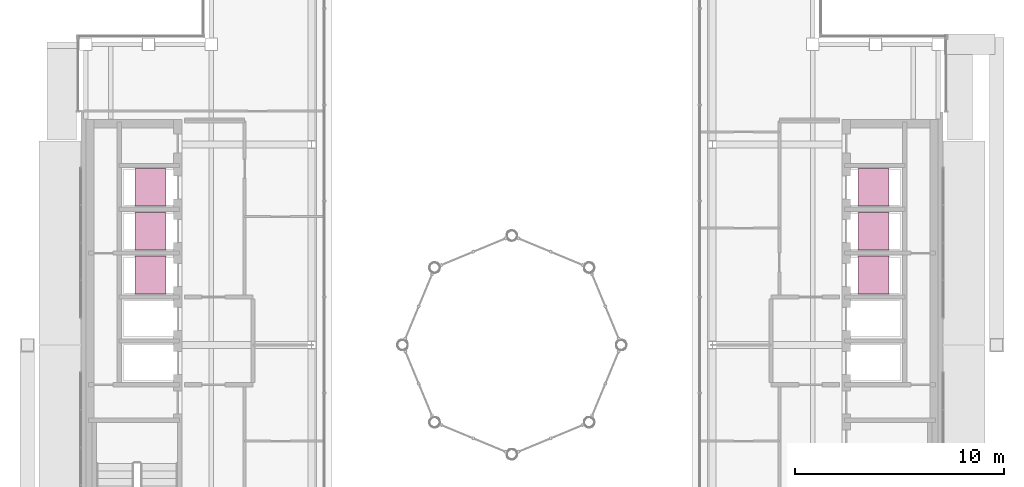
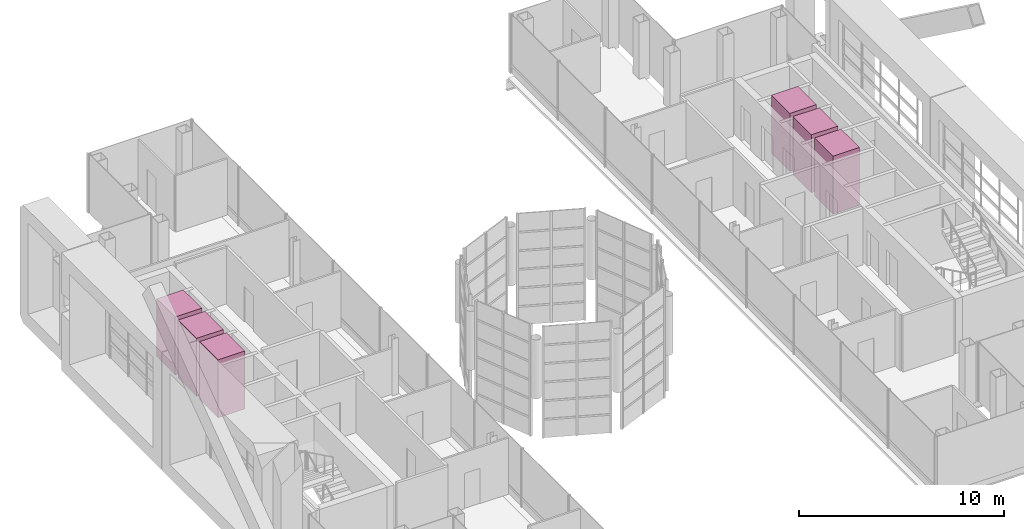
# One storey, part 21 of 21: 6 transport elements.
"""IFC4 building model written with IfcOpenShell, lengths in metres."""

import ifcopenshell
import ifcopenshell.guid

model = None  # the IFC model being written
_history = None  # IfcOwnerHistory: only IFC2X3 demands one
_inside = {}  # id of a spatial element -> (the spatial element, [elements in it])
_under = {}  # id of a project, library or spatial element -> (it, [spatial elements below it])
_declared = {}  # id of a project -> (the project, [libraries it declares])
_typed = {}  # id of a type object -> (the type object, [elements of that type])
_made_of = {}  # id of a material, layer set ... -> (it, [elements and type objects made of it])


def new_model(schema):
    """Start an empty IFC model of exactly this schema.

    Asked for "IFC4X3", IfcOpenShell would pick the latest addendum, in which some entities
    have other attributes; the version numbers below select the first issue.
    IFC2X3 requires an IfcOwnerHistory on every rooted entity: one is made here for all.
    """
    global model, _history
    if schema == "IFC4X3":
        model = ifcopenshell.file(schema_version=(4, 3, 0, 0))
    else:
        model = ifcopenshell.file(schema=schema)
    _inside.clear()
    _under.clear()
    _declared.clear()
    _typed.clear()
    _made_of.clear()
    _history = None
    if model.schema == "IFC2X3":
        org = make("IfcOrganization", Name="unknown")
        user = make(
            "IfcPersonAndOrganization",
            ThePerson=make("IfcPerson", FamilyName="unknown"),
            TheOrganization=org,
        )
        app = make(
            "IfcApplication",
            ApplicationDeveloper=org,
            Version="unknown",
            ApplicationFullName="unknown",
            ApplicationIdentifier="unknown",
        )
        _history = make(
            "IfcOwnerHistory",
            OwningUser=user,
            OwningApplication=app,
            ChangeAction="ADDED",
            CreationDate=0,
        )
    return model


def make(cls, **values):
    """One entity of the class cls with the attributes given. An attribute that is None is left unset."""
    return model.create_entity(
        cls, **{name: value for name, value in values.items() if value is not None}
    )


def rooted(cls, **values):
    """An entity with a GlobalId (a new one), such as an element, a storey or a relation."""
    return make(cls, GlobalId=ifcopenshell.guid.new(), OwnerHistory=_history, **values)


def si_unit(unit_type, name, prefix=None):
    """IfcSIUnit, for example si_unit("LENGTHUNIT", "METRE", prefix="MILLI")."""
    return make("IfcSIUnit", UnitType=unit_type, Prefix=prefix, Name=name)


def assignment(units):
    """IfcUnitAssignment: the units of a project."""
    return None if units is None else make("IfcUnitAssignment", Units=units)


def point(xyz):
    """IfcCartesianPoint."""
    return None if xyz is None else make("IfcCartesianPoint", Coordinates=xyz)


def direction(xyz):
    """IfcDirection."""
    return None if xyz is None else make("IfcDirection", DirectionRatios=xyz)


def frame(location, z_axis=None, x_axis=None):
    """IfcAxis2Placement3D, a coordinate frame: its origin and axes. An axis left out is left unset."""
    return make(
        "IfcAxis2Placement3D",
        Location=point(location),
        Axis=direction(z_axis),
        RefDirection=direction(x_axis),
    )


def frame_2d(location, x_axis=None):
    """IfcAxis2Placement2D, a coordinate frame in the plane: its origin and x axis."""
    return make(
        "IfcAxis2Placement2D", Location=point(location), RefDirection=direction(x_axis)
    )


def origin():
    """The frame at (0, 0, 0) with its axes left unset."""
    return frame((0.0, 0.0, 0.0))


def origin_2d():
    """The frame at (0, 0) in the plane with its x axis left unset."""
    return frame_2d((0.0, 0.0))


def place(relative_to, where):
    """IfcLocalPlacement: puts the frame where relative to a parent placement (None: the world)."""
    return make(
        "IfcLocalPlacement", PlacementRelTo=relative_to, RelativePlacement=where
    )


def context(
    kind, dimensions, precision=None, world=None, true_north=None, identifier=None
):
    """IfcGeometricRepresentationContext, for example the 3D "Model" context."""
    return make(
        "IfcGeometricRepresentationContext",
        ContextIdentifier=identifier,
        ContextType=kind,
        CoordinateSpaceDimension=dimensions,
        Precision=precision,
        WorldCoordinateSystem=world,
        TrueNorth=true_north,
    )


def subcontext(parent, identifier, kind, view, scale=None):
    """IfcGeometricRepresentationSubContext, for example "Body" below "Model"."""
    return make(
        "IfcGeometricRepresentationSubContext",
        ContextIdentifier=identifier,
        ContextType=kind,
        ParentContext=parent,
        TargetScale=scale,
        TargetView=view,
    )


def project(units=None, contexts=None):
    """IfcProject with its units and contexts."""
    return rooted(
        "IfcProject",
        Name="project",
        RepresentationContexts=contexts,
        UnitsInContext=assignment(units),
    )


def spatial(cls, under=None, at=None, **own):
    """A site, building, storey or space (cls), placed at a placement, below another one or the project."""
    s = rooted(cls, ObjectPlacement=at, **own)
    if under is not None:
        _under.setdefault(under.id(), (under, []))[1].append(s)
    return s


def profile(cls, at=None, kind="AREA", **sizes):
    """A parametric profile (cls). Its sizes go by their IFC names, for example OverallWidth=200.0."""
    return make(cls, ProfileType=kind, Position=at, **sizes)


def rectangle(**sizes):
    """IfcRectangleProfileDef."""
    return profile("IfcRectangleProfileDef", **sizes)


def extrude(swept, where, along, depth):
    """IfcExtrudedAreaSolid: the profile swept, set in the frame where, extruded along a direction by depth."""
    return make(
        "IfcExtrudedAreaSolid",
        SweptArea=swept,
        Position=where,
        ExtrudedDirection=direction(along),
        Depth=depth,
    )


def shape(context_of_items, identifier, shape_type, items):
    """IfcShapeRepresentation: the items that make up one representation, for example the "Body"."""
    return make(
        "IfcShapeRepresentation",
        ContextOfItems=context_of_items,
        RepresentationIdentifier=identifier,
        RepresentationType=shape_type,
        Items=items,
    )


def material(Name=None, Category=None):
    """IfcMaterial."""
    return make("IfcMaterial", Name=Name, Category=Category)


def made_of(thing, what):
    """Note that an element or type object is made of a material, layer set ...; save() writes the relation."""
    if what is not None:
        _made_of.setdefault(what.id(), (what, []))[1].append(thing)
    return thing


def type_object(cls, material=None, **own):
    """A type object (cls), such as IfcWallType, which elements share."""
    return made_of(rooted(cls, **own), material)


def element(
    cls,
    number,
    at=None,
    inside=None,
    cuts=None,
    type_object=None,
    material=None,
    context=None,
    identifier="Body",
    shape_type=None,
    held_by="IfcProductDefinitionShape",
    body=None,
    shapes=None,
    **own,
):
    """One element of the class cls, such as IfcWall. Its Tag is "e" and its number.

    at: its placement. inside: the storey or other place that contains it. cuts: it is an
    opening in that element (IfcRelVoidsElement). A single representation is given by context,
    identifier, shape_type and body (its items); several are given by shapes. held_by: the class
    of the entity that holds the representations. save() writes the other relations.
    """
    e = rooted(cls, Tag="e%d" % number, ObjectPlacement=at, **own)
    if body is not None:
        shapes = [shape(context, identifier, shape_type, body)]
    if shapes is not None:
        e.Representation = make(held_by, Representations=shapes)
    if inside is not None:
        _inside.setdefault(inside.id(), (inside, []))[1].append(e)
    if cuts is not None:
        rooted(
            "IfcRelVoidsElement", RelatingBuildingElement=cuts, RelatedOpeningElement=e
        )
    if type_object is not None:
        _typed.setdefault(type_object.id(), (type_object, []))[1].append(e)
    return made_of(e, material)


def aggregate(whole, parts):
    """IfcRelAggregates: a whole, such as a stair, and the parts it consists of."""
    return rooted("IfcRelAggregates", RelatingObject=whole, RelatedObjects=parts)


def save(model, path):
    """Write the relations noted so far, then the file.

    IfcRelAggregates (storeys below a building ...), IfcRelContainedInSpatialStructure (elements
    in a storey), IfcRelDefinesByType, IfcRelAssociatesMaterial and IfcRelDeclares: one each for
    every whole, place, type object, material and project.
    """
    for whole, parts in _under.values():
        aggregate(whole, parts)
    for where, things in _inside.values():
        rooted(
            "IfcRelContainedInSpatialStructure",
            RelatedElements=things,
            RelatingStructure=where,
        )
    for kind, things in _typed.values():
        rooted("IfcRelDefinesByType", RelatedObjects=things, RelatingType=kind)
    for what, things in _made_of.values():
        rooted("IfcRelAssociatesMaterial", RelatedObjects=things, RelatingMaterial=what)
    for by, libraries in _declared.values():
        rooted("IfcRelDeclares", RelatingContext=by, RelatedDefinitions=libraries)
    model.write(path)


model = new_model("IFC4")

# Units and contexts
model_context = context("Model", 3, precision=1e-05, world=origin(), true_north=direction((0.0, 1.0)))
body_context = subcontext(model_context, "Body", "Model", "MODEL_VIEW")
ifc_project = project(units=[si_unit("LENGTHUNIT", "METRE"), si_unit("AREAUNIT", "SQUARE_METRE"), si_unit("VOLUMEUNIT", "CUBIC_METRE"), si_unit("PLANEANGLEUNIT", "RADIAN"), si_unit("MASSUNIT", "GRAM", prefix="KILO")], contexts=[model_context])

# Site, building, storey
site_placement = place(None, origin())
site = spatial("IfcSite", under=ifc_project, at=site_placement, CompositionType="ELEMENT")
building_placement = place(site_placement, origin())
building = spatial("IfcBuilding", under=site, at=building_placement, Name="Cobrizo Arcos Hotel Tower", CompositionType="ELEMENT")
storey_placement = place(building_placement, frame((0.0, 0.0, 276.0)))
storey = spatial("IfcBuildingStorey", under=building, at=storey_placement, Name="L73", CompositionType="ELEMENT", Elevation=276.0)

# Transport elements
ifc_material = material(Name="Stainless steel car", Category="steel")
transport_element_type = type_object("IfcTransportElementType", Name="Lift car High 1.8x1.5", PredefinedType="ELEVATOR", material=ifc_material)
for number, where, z_axis, x_axis, name in (
    (1, (-17.300048828125, 3.35009765625, 0.0), (0.0, 0.0, 1.0), (1.0, 0.0, 0.0), "High-rise passenger lift W1"),
    (2, (-17.300048828125, 5.449951171875, 0.0), (0.0, 0.0, 1.0), (1.0, 0.0, 0.0), "High-rise passenger lift W2"),
    (3, (-17.300048828125, 7.550048828125, 0.0), (0.0, 0.0, 1.0), (1.0, 0.0, 0.0), "High-rise passenger lift W3"),
    (4, (17.300048828125, 3.35009765625, 0.0), (0.0, 0.0, 1.0), (1.0, 0.0, 0.0), "High-rise passenger lift E1"),
    (5, (17.300048828125, 5.449951171875, 0.0), (0.0, 0.0, 1.0), (1.0, 0.0, 0.0), "High-rise passenger lift E2"),
    (6, (17.300048828125, 7.550048828125, 0.0), (0.0, 0.0, 1.0), (1.0, 0.0, 0.0), "High-rise passenger lift E3"),
):
    element("IfcTransportElement", number, at=place(storey_placement, frame(where, z_axis=z_axis, x_axis=x_axis)), inside=storey, type_object=transport_element_type, Name=name, PredefinedType="ELEVATOR", context=body_context, shape_type="SweptSolid", body=[
        extrude(rectangle(XDim=1.5, YDim=1.800048828125, at=origin_2d()), origin(), (0.0, 0.0, 1.0), 3.449951171875),
    ])

save(model, "model.ifc")
